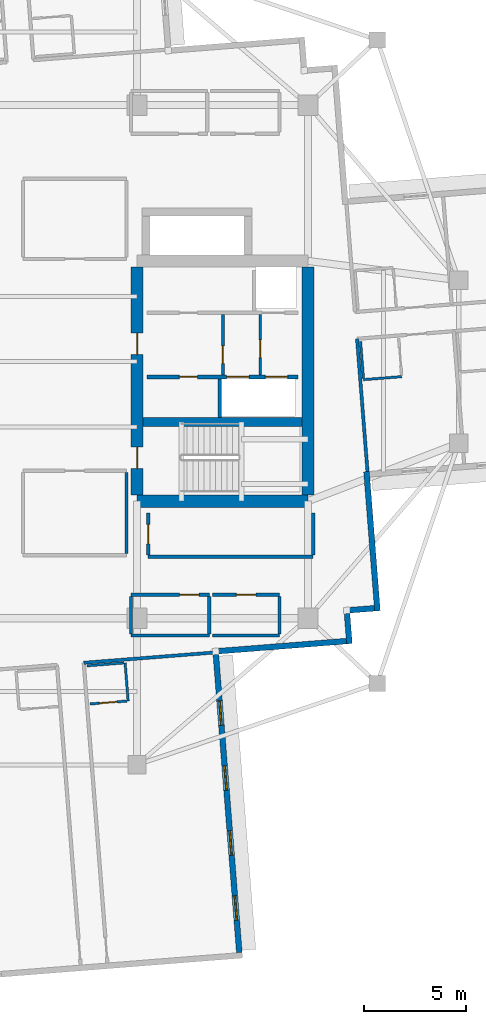
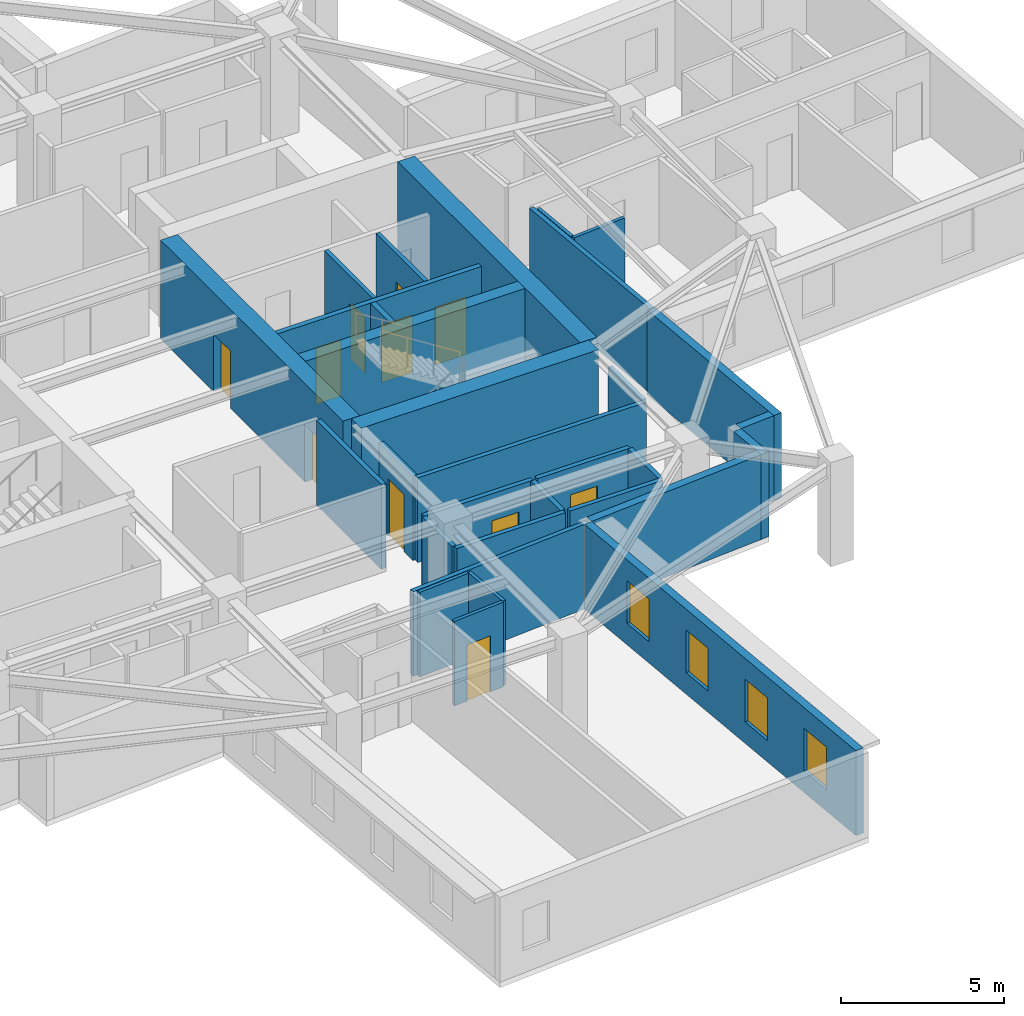
# One storey, part 5 of 13: 31 walls, 11 doors, 4 windows, 15 openings.
"""IFC4 building model written with IfcOpenShell, lengths in metres."""

import ifcopenshell
import ifcopenshell.guid

model = None  # the IFC model being written
_history = None  # IfcOwnerHistory: only IFC2X3 demands one
_inside = {}  # id of a spatial element -> (the spatial element, [elements in it])
_under = {}  # id of a project, library or spatial element -> (it, [spatial elements below it])
_declared = {}  # id of a project -> (the project, [libraries it declares])
_typed = {}  # id of a type object -> (the type object, [elements of that type])
_made_of = {}  # id of a material, layer set ... -> (it, [elements and type objects made of it])


def new_model(schema):
    """Start an empty IFC model of exactly this schema.

    Asked for "IFC4X3", IfcOpenShell would pick the latest addendum, in which some entities
    have other attributes; the version numbers below select the first issue.
    IFC2X3 requires an IfcOwnerHistory on every rooted entity: one is made here for all.
    """
    global model, _history
    if schema == "IFC4X3":
        model = ifcopenshell.file(schema_version=(4, 3, 0, 0))
    else:
        model = ifcopenshell.file(schema=schema)
    _inside.clear()
    _under.clear()
    _declared.clear()
    _typed.clear()
    _made_of.clear()
    _history = None
    if model.schema == "IFC2X3":
        org = make("IfcOrganization", Name="unknown")
        user = make(
            "IfcPersonAndOrganization",
            ThePerson=make("IfcPerson", FamilyName="unknown"),
            TheOrganization=org,
        )
        app = make(
            "IfcApplication",
            ApplicationDeveloper=org,
            Version="unknown",
            ApplicationFullName="unknown",
            ApplicationIdentifier="unknown",
        )
        _history = make(
            "IfcOwnerHistory",
            OwningUser=user,
            OwningApplication=app,
            ChangeAction="ADDED",
            CreationDate=0,
        )
    return model


def make(cls, **values):
    """One entity of the class cls with the attributes given. An attribute that is None is left unset."""
    return model.create_entity(
        cls, **{name: value for name, value in values.items() if value is not None}
    )


def rooted(cls, **values):
    """An entity with a GlobalId (a new one), such as an element, a storey or a relation."""
    return make(cls, GlobalId=ifcopenshell.guid.new(), OwnerHistory=_history, **values)


def si_unit(unit_type, name, prefix=None):
    """IfcSIUnit, for example si_unit("LENGTHUNIT", "METRE", prefix="MILLI")."""
    return make("IfcSIUnit", UnitType=unit_type, Prefix=prefix, Name=name)


def assignment(units):
    """IfcUnitAssignment: the units of a project."""
    return None if units is None else make("IfcUnitAssignment", Units=units)


def point(xyz):
    """IfcCartesianPoint."""
    return None if xyz is None else make("IfcCartesianPoint", Coordinates=xyz)


def direction(xyz):
    """IfcDirection."""
    return None if xyz is None else make("IfcDirection", DirectionRatios=xyz)


def frame(location, z_axis=None, x_axis=None):
    """IfcAxis2Placement3D, a coordinate frame: its origin and axes. An axis left out is left unset."""
    return make(
        "IfcAxis2Placement3D",
        Location=point(location),
        Axis=direction(z_axis),
        RefDirection=direction(x_axis),
    )


def frame_2d(location, x_axis=None):
    """IfcAxis2Placement2D, a coordinate frame in the plane: its origin and x axis."""
    return make(
        "IfcAxis2Placement2D", Location=point(location), RefDirection=direction(x_axis)
    )


def origin():
    """The frame at (0, 0, 0) with its axes left unset."""
    return frame((0.0, 0.0, 0.0))


def place(relative_to, where):
    """IfcLocalPlacement: puts the frame where relative to a parent placement (None: the world)."""
    return make(
        "IfcLocalPlacement", PlacementRelTo=relative_to, RelativePlacement=where
    )


def context(
    kind, dimensions, precision=None, world=None, true_north=None, identifier=None
):
    """IfcGeometricRepresentationContext, for example the 3D "Model" context."""
    return make(
        "IfcGeometricRepresentationContext",
        ContextIdentifier=identifier,
        ContextType=kind,
        CoordinateSpaceDimension=dimensions,
        Precision=precision,
        WorldCoordinateSystem=world,
        TrueNorth=true_north,
    )


def subcontext(parent, identifier, kind, view, scale=None):
    """IfcGeometricRepresentationSubContext, for example "Body" below "Model"."""
    return make(
        "IfcGeometricRepresentationSubContext",
        ContextIdentifier=identifier,
        ContextType=kind,
        ParentContext=parent,
        TargetScale=scale,
        TargetView=view,
    )


def project(units=None, contexts=None):
    """IfcProject with its units and contexts."""
    return rooted(
        "IfcProject",
        Name="project",
        RepresentationContexts=contexts,
        UnitsInContext=assignment(units),
    )


def spatial(cls, under=None, at=None, **own):
    """A site, building, storey or space (cls), placed at a placement, below another one or the project."""
    s = rooted(cls, ObjectPlacement=at, **own)
    if under is not None:
        _under.setdefault(under.id(), (under, []))[1].append(s)
    return s


def profile(cls, at=None, kind="AREA", **sizes):
    """A parametric profile (cls). Its sizes go by their IFC names, for example OverallWidth=200.0."""
    return make(cls, ProfileType=kind, Position=at, **sizes)


def rectangle(**sizes):
    """IfcRectangleProfileDef."""
    return profile("IfcRectangleProfileDef", **sizes)


def extrude(swept, where, along, depth):
    """IfcExtrudedAreaSolid: the profile swept, set in the frame where, extruded along a direction by depth."""
    return make(
        "IfcExtrudedAreaSolid",
        SweptArea=swept,
        Position=where,
        ExtrudedDirection=direction(along),
        Depth=depth,
    )


def shape(context_of_items, identifier, shape_type, items):
    """IfcShapeRepresentation: the items that make up one representation, for example the "Body"."""
    return make(
        "IfcShapeRepresentation",
        ContextOfItems=context_of_items,
        RepresentationIdentifier=identifier,
        RepresentationType=shape_type,
        Items=items,
    )


def material(Name=None, Category=None):
    """IfcMaterial."""
    return make("IfcMaterial", Name=Name, Category=Category)


def layer(
    of_material, thickness, ventilated=None, Name=None, Category=None, Priority=None
):
    """IfcMaterialLayer: one layer of a wall or slab, of a material (None: an air gap)."""
    return make(
        "IfcMaterialLayer",
        Material=of_material,
        LayerThickness=thickness,
        IsVentilated=ventilated,
        Name=Name,
        Category=Category,
        Priority=Priority,
    )


def layer_set(layers, Name=None):
    """IfcMaterialLayerSet."""
    return make("IfcMaterialLayerSet", MaterialLayers=layers, LayerSetName=Name)


def made_of(thing, what):
    """Note that an element or type object is made of a material, layer set ...; save() writes the relation."""
    if what is not None:
        _made_of.setdefault(what.id(), (what, []))[1].append(thing)
    return thing


def type_object(cls, material=None, **own):
    """A type object (cls), such as IfcWallType, which elements share."""
    return made_of(rooted(cls, **own), material)


def element(
    cls,
    number,
    at=None,
    inside=None,
    cuts=None,
    type_object=None,
    material=None,
    context=None,
    identifier="Body",
    shape_type=None,
    held_by="IfcProductDefinitionShape",
    body=None,
    shapes=None,
    **own,
):
    """One element of the class cls, such as IfcWall. Its Tag is "e" and its number.

    at: its placement. inside: the storey or other place that contains it. cuts: it is an
    opening in that element (IfcRelVoidsElement). A single representation is given by context,
    identifier, shape_type and body (its items); several are given by shapes. held_by: the class
    of the entity that holds the representations. save() writes the other relations.
    """
    e = rooted(cls, Tag="e%d" % number, ObjectPlacement=at, **own)
    if body is not None:
        shapes = [shape(context, identifier, shape_type, body)]
    if shapes is not None:
        e.Representation = make(held_by, Representations=shapes)
    if inside is not None:
        _inside.setdefault(inside.id(), (inside, []))[1].append(e)
    if cuts is not None:
        rooted(
            "IfcRelVoidsElement", RelatingBuildingElement=cuts, RelatedOpeningElement=e
        )
    if type_object is not None:
        _typed.setdefault(type_object.id(), (type_object, []))[1].append(e)
    return made_of(e, material)


def fill(opening, filler):
    """IfcRelFillsElement: the door or window that sits in an opening."""
    return rooted(
        "IfcRelFillsElement",
        RelatingOpeningElement=opening,
        RelatedBuildingElement=filler,
    )


def aggregate(whole, parts):
    """IfcRelAggregates: a whole, such as a stair, and the parts it consists of."""
    return rooted("IfcRelAggregates", RelatingObject=whole, RelatedObjects=parts)


def save(model, path):
    """Write the relations noted so far, then the file.

    IfcRelAggregates (storeys below a building ...), IfcRelContainedInSpatialStructure (elements
    in a storey), IfcRelDefinesByType, IfcRelAssociatesMaterial and IfcRelDeclares: one each for
    every whole, place, type object, material and project.
    """
    for whole, parts in _under.values():
        aggregate(whole, parts)
    for where, things in _inside.values():
        rooted(
            "IfcRelContainedInSpatialStructure",
            RelatedElements=things,
            RelatingStructure=where,
        )
    for kind, things in _typed.values():
        rooted("IfcRelDefinesByType", RelatedObjects=things, RelatingType=kind)
    for what, things in _made_of.values():
        rooted("IfcRelAssociatesMaterial", RelatedObjects=things, RelatingMaterial=what)
    for by, libraries in _declared.values():
        rooted("IfcRelDeclares", RelatingContext=by, RelatedDefinitions=libraries)
    model.write(path)


model = new_model("IFC4")

# Units and contexts
model_context = context("Model", 3, precision=1e-05, world=origin(), true_north=direction((0.0, 1.0)))
body_context = subcontext(model_context, "Body", "Model", "MODEL_VIEW")
ifc_project = project(units=[si_unit("LENGTHUNIT", "METRE"), si_unit("AREAUNIT", "SQUARE_METRE"), si_unit("VOLUMEUNIT", "CUBIC_METRE"), si_unit("PLANEANGLEUNIT", "RADIAN"), si_unit("MASSUNIT", "GRAM", prefix="KILO")], contexts=[model_context])

# Site, building, storey
site_placement = place(None, origin())
site = spatial("IfcSite", under=ifc_project, at=site_placement, CompositionType="ELEMENT")
building_placement = place(site_placement, origin())
building = spatial("IfcBuilding", under=site, at=building_placement, Name="Qingluan Cross Belvedere", CompositionType="ELEMENT")
storey_placement = place(building_placement, frame((0.0, 0.0, 205.199951171875)))
storey = spatial("IfcBuildingStorey", under=building, at=storey_placement, Name="L51", CompositionType="ELEMENT", Elevation=205.199951171875)

# Walls
ifc_material_1 = material(Name="Concrete C50", Category="concrete")
ifc_layer_1 = layer(ifc_material_1, 0.449951171875, Name="CoreShearWall_450")
ifc_layer_set_1 = layer_set([ifc_layer_1], Name="Concrete C50")
wall_type_1 = type_object("IfcWallType", Name="CoreShearWall_450", PredefinedType="SHEAR", material=ifc_layer_set_1)
wall_1_placement = place(storey_placement, frame((4.304931640625, -2.9599609375, 0.0), z_axis=(0.0, 0.0, 1.0), x_axis=(1.0, 0.0, 0.0)))
element("IfcWall", 1, at=wall_1_placement, inside=storey, type_object=wall_type_1, Name="Split core E shear wall L51-M", PredefinedType="SHEAR", context=body_context, shape_type="SweptSolid", body=[
    extrude(rectangle(XDim=7.7900390625, YDim=0.449951171875, at=frame_2d((3.89501953125, 0.0))), origin(), (0.0, 0.0, 1.0), 3.699951171875),
])
ifc_material_2 = material(Name="Concrete C60", Category="concrete")
ifc_layer_2 = layer(ifc_material_2, 0.60009765625, Name="CoreShearWall_600")
ifc_layer_set_2 = layer_set([ifc_layer_2], Name="Concrete C60")
wall_type_2 = type_object("IfcWallType", Name="CoreShearWall_600", PredefinedType="SHEAR", material=ifc_layer_set_2)
wall_2_placement = place(storey_placement, frame((4.0, -6.85009765625, 0.0), z_axis=(0.0, 0.0, 1.0), x_axis=(1.0, 0.0, 0.0)))
element("IfcWall", 2, at=wall_2_placement, inside=storey, type_object=wall_type_2, Name="Split core E shear wall L51-S", PredefinedType="SHEAR", context=body_context, shape_type="SweptSolid", body=[
    extrude(rectangle(XDim=8.39990234375, YDim=0.60009765625, at=frame_2d((4.199951171875, 0.0))), origin(), (0.0, 0.0, 1.0), 3.699951171875),
])

# Wall, openings, doors
wall_3_placement = place(storey_placement, frame((4.0, -6.544921875, 0.0), z_axis=(0.0, 0.0, 1.0), x_axis=(0.0, 1.0, 0.0)))
wall_3 = element("IfcWall", 3, at=wall_3_placement, inside=storey, type_object=wall_type_2, Name="Split core E shear wall L51-W", PredefinedType="SHEAR", context=body_context, shape_type="SweptSolid", body=[
    extrude(rectangle(XDim=11.18994140625, YDim=0.60009765625, at=frame_2d((5.594970703125, 0.0))), origin(), (0.0, 0.0, 1.0), 3.699951171875),
])
opening_1_placement = place(wall_3_placement, frame((1.294921875, 0.0, 0.0)))
opening_1 = element("IfcOpeningElement", 4, at=opening_1_placement, cuts=wall_3, Name="Opening FD-B11", PredefinedType="OPENING", context=body_context, shape_type="SweptSolid", body=[
    extrude(rectangle(XDim=1.050048828125, YDim=2.14990234375, at=frame_2d((0.52490234375, 1.074951171875))), frame((0.0, 0.31005859375, 0.0), z_axis=(0.0, -1.0, 0.0), x_axis=(1.0, 0.0, 0.0)), (0.0, 0.0, 1.0), 0.6201171875),
])
opening_2_placement = place(wall_3_placement, frame((6.89501953125, 0.0, 0.0)))
opening_2 = element("IfcOpeningElement", 5, at=opening_2_placement, cuts=wall_3, Name="Opening FD-B11", PredefinedType="OPENING", context=body_context, shape_type="SweptSolid", body=[
    extrude(rectangle(XDim=1.050048828125, YDim=2.14990234375, at=frame_2d((0.52490234375, 1.074951171875))), frame((0.0, 0.31005859375, 0.0), z_axis=(0.0, -1.0, 0.0), x_axis=(1.0, 0.0, 0.0)), (0.0, 0.0, 1.0), 0.6201171875),
])
ifc_material_3 = material(Name="Steel Class B smoke-seal fire door", Category="steel")
door_type_1 = type_object("IfcDoorType", Name="StairLobbyFireDoor_FDB", OperationType="NOTDEFINED", PredefinedType="DOOR", material=ifc_material_3)
door_1_placement = place(opening_1_placement, origin())
door_1 = element("IfcDoor", 6, at=door_1_placement, inside=storey, type_object=door_type_1, Name="Smoke-proof stair ST2 fire door L51", OperationType="SINGLE_SWING_RIGHT", OverallHeight=2.14990234375, OverallWidth=1.050048828125, PredefinedType="DOOR", context=body_context, shape_type="SweptSolid", body=[
    extrude(rectangle(XDim=1.050048828125, YDim=2.14990234375, at=frame_2d((0.52490234375, 1.074951171875))), frame((0.0, 0.02490234375, 0.0), z_axis=(0.0, -1.0, 0.0), x_axis=(1.0, 0.0, 0.0)), (0.0, 0.0, 1.0), 0.050048828125),
])
fill(opening_1, door_1)
door_2_placement = place(opening_2_placement, origin())
door_2 = element("IfcDoor", 7, at=door_2_placement, inside=storey, type_object=door_type_1, Name="Firefighting lobby East fire door L51", OperationType="SINGLE_SWING_RIGHT", OverallHeight=2.14990234375, OverallWidth=1.050048828125, PredefinedType="DOOR", context=body_context, shape_type="SweptSolid", body=[
    extrude(rectangle(XDim=1.050048828125, YDim=2.14990234375, at=frame_2d((0.52490234375, 1.074951171875))), frame((0.0, 0.02490234375, 0.0), z_axis=(0.0, -1.0, 0.0), x_axis=(1.0, 0.0, 0.0)), (0.0, 0.0, 1.0), 0.050048828125),
])
fill(opening_2, door_2)

# Wall
wall_4_placement = place(storey_placement, frame((12.39990234375, -6.544921875, 0.0), z_axis=(0.0, 0.0, 1.0), x_axis=(0.0, 1.0, 0.0)))
element("IfcWall", 8, at=wall_4_placement, inside=storey, type_object=wall_type_2, Name="Split core E shear wall L51-E", PredefinedType="SHEAR", context=body_context, shape_type="SweptSolid", body=[
    extrude(rectangle(XDim=11.18994140625, YDim=0.60009765625, at=frame_2d((5.594970703125, 0.0))), origin(), (0.0, 0.0, 1.0), 3.699951171875),
])

# Wall, opening, door
ifc_material_4 = material(Name="Gypsum plasterboard on steel stud acoustic partition", Category="steel")
ifc_layer_3 = layer(ifc_material_4, 0.159912109375, Name="CorridorPartition_160")
ifc_layer_set_3 = layer_set([ifc_layer_3], Name="Gypsum plasterboard on steel stud acoustic partition")
wall_type_3 = type_object("IfcWallType", Name="CorridorPartition_160", PredefinedType="PARTITIONING", material=ifc_layer_set_3)
wall_5_placement = place(storey_placement, frame((10.050048828125, -0.652099609375, 0.0), z_axis=(0.0, 0.0, 1.0), x_axis=(0.0, 1.0, 0.0)))
wall_5 = element("IfcWall", 9, at=wall_5_placement, inside=storey, type_object=wall_type_3, Name="Partition L51:ev", PredefinedType="PARTITIONING", context=body_context, shape_type="SweptSolid", body=[
    extrude(rectangle(XDim=2.962158203125, YDim=0.139892578125, at=frame_2d((1.48095703125, 0.0))), origin(), (0.0, 0.0, 1.0), 3.170166015625),
])
opening_3_placement = place(wall_5_placement, frame((0.85009765625, 0.0, 0.0)))
opening_3 = element("IfcOpeningElement", 10, at=opening_3_placement, cuts=wall_5, Name="Opening FD-B10", PredefinedType="OPENING", context=body_context, shape_type="SweptSolid", body=[
    extrude(rectangle(XDim=0.8798828125, YDim=2.10009765625, at=frame_2d((0.43994140625, 1.050048828125))), frame((0.0, 0.079833984375, 0.0), z_axis=(0.0, -1.0, 0.0), x_axis=(1.0, 0.0, 0.0)), (0.0, 0.0, 1.0), 0.159912109375),
])
ifc_material_5 = material(Name="Steel Class B service fire door", Category="steel")
door_type_2 = type_object("IfcDoorType", Name="RiserServiceFireDoor_FDB", OperationType="NOTDEFINED", PredefinedType="DOOR", material=ifc_material_5)
door_3_placement = place(opening_3_placement, origin())
door_3 = element("IfcDoor", 11, at=door_3_placement, inside=storey, type_object=door_type_2, Name="Service closet inner door L51", OperationType="SINGLE_SWING_LEFT", OverallHeight=2.10009765625, OverallWidth=0.8798828125, PredefinedType="DOOR", context=body_context, shape_type="SweptSolid", body=[
    extrude(rectangle(XDim=0.8798828125, YDim=2.10009765625, at=frame_2d((0.43994140625, 1.050048828125))), frame((0.0, 0.02490234375, 0.0), z_axis=(0.0, -1.0, 0.0), x_axis=(1.0, 0.0, 0.0)), (0.0, 0.0, 1.0), 0.050048828125),
])
fill(opening_3, door_3)

# Wall
wall_6_placement = place(storey_placement, frame((3.699951171875, -13.449951171875, 0.0), z_axis=(0.0, 0.0, 1.0), x_axis=(1.0, 0.0, 0.0)))
element("IfcWall", 12, at=wall_6_placement, inside=storey, type_object=wall_type_3, Name="Partition L51:q_se1:S", PredefinedType="PARTITIONING", context=body_context, shape_type="SweptSolid", body=[
    extrude(rectangle(XDim=3.85009765625, YDim=0.159912109375, at=frame_2d((1.925048828125, 0.0))), origin(), (0.0, 0.0, 1.0), 3.170166015625),
])

# Wall, opening, door
wall_7_placement = place(storey_placement, frame((3.699951171875, -11.449951171875, 0.0), z_axis=(0.0, 0.0, 1.0), x_axis=(1.0, 0.0, 0.0)))
wall_7 = element("IfcWall", 13, at=wall_7_placement, inside=storey, type_object=wall_type_3, Name="Partition L51:q_se1:N", PredefinedType="PARTITIONING", context=body_context, shape_type="SweptSolid", body=[
    extrude(rectangle(XDim=3.85009765625, YDim=0.159912109375, at=frame_2d((1.925048828125, 0.0))), origin(), (0.0, 0.0, 1.0), 3.170166015625),
])
opening_4_placement = place(wall_7_placement, frame((2.39501953125, 0.0, 0.0)))
opening_4 = element("IfcOpeningElement", 14, at=opening_4_placement, cuts=wall_7, Name="Opening GD-10", PredefinedType="OPENING", context=body_context, shape_type="SweptSolid", body=[
    extrude(rectangle(XDim=0.9599609375, YDim=2.14990234375, at=frame_2d((0.47998046875, 1.074951171875))), frame((0.0, 0.08984375, 0.0), z_axis=(0.0, -1.0, 0.0), x_axis=(1.0, 0.0, 0.0)), (0.0, 0.0, 1.0), 0.179931640625),
])
ifc_material_6 = material(Name="Timber oak fire-rated acoustic guestroom door", Category="wood")
door_type_3 = type_object("IfcDoorType", Name="GuestEntryDoor_FD60", OperationType="NOTDEFINED", PredefinedType="DOOR", material=ifc_material_6)
door_4_placement = place(opening_4_placement, origin())
door_4 = element("IfcDoor", 15, at=door_4_placement, inside=storey, type_object=door_type_3, Name="Champagne pantry L51 door", OperationType="SINGLE_SWING_RIGHT", OverallHeight=2.14990234375, OverallWidth=0.9599609375, PredefinedType="DOOR", context=body_context, shape_type="SweptSolid", body=[
    extrude(rectangle(XDim=0.9599609375, YDim=2.14990234375, at=frame_2d((0.47998046875, 1.074951171875))), frame((0.0, 0.02490234375, 0.0), z_axis=(0.0, -1.0, 0.0), x_axis=(1.0, 0.0, 0.0)), (0.0, 0.0, 1.0), 0.050048828125),
])
fill(opening_4, door_4)

# Walls
for number, where, z_axis, x_axis, name in (
    (16, (3.699951171875, -13.364990234375, 0.0), (0.0, 0.0, 1.0), (0.0, 1.0, 0.0), "Partition L51:q_se1:W"),
    (17, (7.550048828125, -13.364990234375, 0.0), (0.0, 0.0, 1.0), (0.0, 1.0, 0.0), "Partition L51:q_se1:E"),
):
    element("IfcWall", number, at=place(storey_placement, frame(where, z_axis=z_axis, x_axis=x_axis)), inside=storey, type_object=wall_type_3, Name=name, PredefinedType="PARTITIONING", context=body_context, shape_type="SweptSolid", body=[
        extrude(rectangle(XDim=1.830078125, YDim=0.159912109375, at=frame_2d((0.9150390625, 0.0))), origin(), (0.0, 0.0, 1.0), 3.170166015625),
    ])
wall_8_placement = place(storey_placement, frame((7.7099609375, -13.449951171875, 0.0), z_axis=(0.0, 0.0, 1.0), x_axis=(1.0, 0.0, 0.0)))
element("IfcWall", 18, at=wall_8_placement, inside=storey, type_object=wall_type_3, Name="Partition L51:q_se2:S", PredefinedType="PARTITIONING", context=body_context, shape_type="SweptSolid", body=[
    extrude(rectangle(XDim=3.2900390625, YDim=0.159912109375, at=frame_2d((1.64501953125, 0.0))), origin(), (0.0, 0.0, 1.0), 3.170166015625),
])

# Wall, opening, door
wall_9_placement = place(storey_placement, frame((7.7099609375, -11.449951171875, 0.0), z_axis=(0.0, 0.0, 1.0), x_axis=(1.0, 0.0, 0.0)))
wall_9 = element("IfcWall", 19, at=wall_9_placement, inside=storey, type_object=wall_type_3, Name="Partition L51:q_se2:N", PredefinedType="PARTITIONING", context=body_context, shape_type="SweptSolid", body=[
    extrude(rectangle(XDim=3.2900390625, YDim=0.159912109375, at=frame_2d((1.64501953125, 0.0))), origin(), (0.0, 0.0, 1.0), 3.170166015625),
])
opening_5_placement = place(wall_9_placement, frame((1.1650390625, 0.0, 0.0)))
opening_5 = element("IfcOpeningElement", 20, at=opening_5_placement, cuts=wall_9, Name="Opening GD-10", PredefinedType="OPENING", context=body_context, shape_type="SweptSolid", body=[
    extrude(rectangle(XDim=0.9599609375, YDim=2.14990234375, at=frame_2d((0.47998046875, 1.074951171875))), frame((0.0, 0.08984375, 0.0), z_axis=(0.0, -1.0, 0.0), x_axis=(1.0, 0.0, 0.0)), (0.0, 0.0, 1.0), 0.179931640625),
])
door_5_placement = place(opening_5_placement, origin())
door_5 = element("IfcDoor", 21, at=door_5_placement, inside=storey, type_object=door_type_3, Name="Southeast study room L51 door", OperationType="SINGLE_SWING_LEFT", OverallHeight=2.14990234375, OverallWidth=0.9599609375, PredefinedType="DOOR", context=body_context, shape_type="SweptSolid", body=[
    extrude(rectangle(XDim=0.9599609375, YDim=2.14990234375, at=frame_2d((0.47998046875, 1.074951171875))), frame((0.0, 0.02490234375, 0.0), z_axis=(0.0, -1.0, 0.0), x_axis=(1.0, 0.0, 0.0)), (0.0, 0.0, 1.0), 0.050048828125),
])
fill(opening_5, door_5)

# Walls
wall_10_placement = place(storey_placement, frame((11.0, -13.364990234375, 0.0), z_axis=(0.0, 0.0, 1.0), x_axis=(0.0, 1.0, 0.0)))
element("IfcWall", 22, at=wall_10_placement, inside=storey, type_object=wall_type_3, Name="Partition L51:q_se2:E", PredefinedType="PARTITIONING", context=body_context, shape_type="SweptSolid", body=[
    extrude(rectangle(XDim=1.830078125, YDim=0.159912109375, at=frame_2d((0.9150390625, 0.0))), origin(), (0.0, 0.0, 1.0), 3.170166015625),
])
wall_11_placement = place(storey_placement, frame((3.47998046875, -9.4150390625, 0.0), z_axis=(0.0, 0.0, 1.0), x_axis=(0.0, 1.0, 0.0)))
element("IfcWall", 23, at=wall_11_placement, inside=storey, type_object=wall_type_3, Name="Partition L51:sky_south_alcove:E", PredefinedType="PARTITIONING", context=body_context, shape_type="SweptSolid", body=[
    extrude(rectangle(XDim=3.97998046875, YDim=0.159912109375, at=frame_2d((1.989990234375, 0.0))), origin(), (0.0, 0.0, 1.0), 3.170166015625),
])
wall_12_placement = place(storey_placement, frame((4.550048828125, -9.580078125, 0.0), z_axis=(0.0, 0.0, 1.0), x_axis=(1.0, 0.0, 0.0)))
element("IfcWall", 24, at=wall_12_placement, inside=storey, type_object=wall_type_3, Name="Partition L51:rec_st4:S", PredefinedType="PARTITIONING", context=body_context, shape_type="SweptSolid", body=[
    extrude(rectangle(XDim=8.099853515625, YDim=0.159912109375, at=frame_2d((4.0498046875, 0.0))), origin(), (0.0, 0.0, 1.0), 3.170166015625),
])

# Wall, opening, door
wall_13_placement = place(storey_placement, frame((4.550048828125, -9.4951171875, 0.0), z_axis=(0.0, 0.0, 1.0), x_axis=(0.0, 1.0, 0.0)))
wall_13 = element("IfcWall", 25, at=wall_13_placement, inside=storey, type_object=wall_type_3, Name="Partition L51:rec_st4:W", PredefinedType="PARTITIONING", context=body_context, shape_type="SweptSolid", body=[
    extrude(rectangle(XDim=2.06005859375, YDim=0.159912109375, at=frame_2d((1.030029296875, 0.0))), origin(), (0.0, 0.0, 1.0), 3.170166015625),
])
opening_6_placement = place(wall_13_placement, frame((0.550048828125, 0.0, 0.0)))
opening_6 = element("IfcOpeningElement", 26, at=opening_6_placement, cuts=wall_13, Name="Opening GD-10", PredefinedType="OPENING", context=body_context, shape_type="SweptSolid", body=[
    extrude(rectangle(XDim=0.9599609375, YDim=2.14990234375, at=frame_2d((0.47998046875, 1.074951171875))), frame((0.0, 0.08984375, 0.0), z_axis=(0.0, -1.0, 0.0), x_axis=(1.0, 0.0, 0.0)), (0.0, 0.0, 1.0), 0.179931640625),
])
door_6_placement = place(opening_6_placement, origin())
door_6 = element("IfcDoor", 27, at=door_6_placement, inside=storey, type_object=door_type_3, Name="Southeast club library room L51 door", OperationType="SINGLE_SWING_LEFT", OverallHeight=2.14990234375, OverallWidth=0.9599609375, PredefinedType="DOOR", context=body_context, shape_type="SweptSolid", body=[
    extrude(rectangle(XDim=0.9599609375, YDim=2.14990234375, at=frame_2d((0.47998046875, 1.074951171875))), frame((0.0, 0.02490234375, 0.0), z_axis=(0.0, -1.0, 0.0), x_axis=(1.0, 0.0, 0.0)), (0.0, 0.0, 1.0), 0.050048828125),
])
fill(opening_6, door_6)

# Walls
wall_14_placement = place(storey_placement, frame((12.64990234375, -9.4951171875, 0.0), z_axis=(0.0, 0.0, 1.0), x_axis=(0.0, 1.0, 0.0)))
element("IfcWall", 28, at=wall_14_placement, inside=storey, type_object=wall_type_3, Name="Partition L51:rec_st4:E", PredefinedType="PARTITIONING", context=body_context, shape_type="SweptSolid", body=[
    extrude(rectangle(XDim=2.06005859375, YDim=0.159912109375, at=frame_2d((1.030029296875, 0.0))), origin(), (0.0, 0.0, 1.0), 3.170166015625),
])
wall_15_placement = place(storey_placement, frame((14.807373046875, 1.125244140625, 0.0), z_axis=(0.0, 0.0, 1.0), x_axis=(0.078451271919, -0.996917949449, 0.0)))
element("IfcWall", 29, at=wall_15_placement, inside=storey, type_object=wall_type_3, Name="Partition L51:E:s1", PredefinedType="PARTITIONING", context=body_context, shape_type="SweptSolid", body=[
    extrude(rectangle(XDim=6.531982421875, YDim=0.159912109375, at=frame_2d((3.26611328125, 0.0))), origin(), (0.0, 0.0, 1.0), 3.170166015625),
])
wall_16_placement = place(storey_placement, frame((1.384521484375, -14.787109375, 0.0), z_axis=(0.0, 0.0, 1.0), x_axis=(0.996917042006, 0.078462802379, 0.0)))
element("IfcWall", 30, at=wall_16_placement, inside=storey, type_object=wall_type_3, Name="Partition L51:S:s0", PredefinedType="PARTITIONING", context=body_context, shape_type="SweptSolid", body=[
    extrude(rectangle(XDim=6.5, YDim=0.159912109375, at=frame_2d((3.25, 0.0))), origin(), (0.0, 0.0, 1.0), 3.170166015625),
])
ifc_material_7 = material(Name="Moisture-resistant gypsum board lining")
ifc_layer_4 = layer(ifc_material_7, 0.1201171875, Name="EnsuiteWetPartition_120")
ifc_layer_set_4 = layer_set([ifc_layer_4], Name="Moisture-resistant gypsum board lining")
wall_type_4 = type_object("IfcWallType", Name="EnsuiteWetPartition_120", PredefinedType="PARTITIONING", material=ifc_layer_set_4)
wall_17_placement = place(storey_placement, frame((15.12060546875, -0.816162109375, 0.0), z_axis=(0.0, 0.0, 1.0), x_axis=(-0.0784709492, 0.996916400774, 0.0)))
element("IfcWall", 31, at=wall_17_placement, inside=storey, type_object=wall_type_4, Name="Partition L51:E:bw1_0", PredefinedType="PARTITIONING", context=body_context, shape_type="SweptSolid", body=[
    extrude(rectangle(XDim=1.820068359375, YDim=0.1201171875, at=frame_2d((0.91015625, 0.0))), origin(), (0.0, 0.0, 1.0), 3.170166015625),
])
wall_18_placement = place(storey_placement, frame((15.125732421875, -0.881103515625, 0.0), z_axis=(0.0, 0.0, 1.0), x_axis=(0.996909131608, 0.078563244057, 0.0)))
element("IfcWall", 32, at=wall_18_placement, inside=storey, type_object=wall_type_4, Name="Partition L51:E:bc1_0", PredefinedType="PARTITIONING", context=body_context, shape_type="SweptSolid", body=[
    extrude(rectangle(XDim=1.880126953125, YDim=0.1201171875, at=frame_2d((0.93994140625, 0.0))), origin(), (0.0, 0.0, 1.0), 3.170166015625),
])

# Wall, opening, door
wall_19_placement = place(storey_placement, frame((1.68408203125, -16.809814453125, 0.0), z_axis=(0.0, 0.0, 1.0), x_axis=(0.996916400774, 0.0784709492, 0.0)))
wall_19 = element("IfcWall", 33, at=wall_19_placement, inside=storey, type_object=wall_type_4, Name="Partition L51:S:bs0_0", PredefinedType="PARTITIONING", context=body_context, shape_type="SweptSolid", body=[
    extrude(rectangle(XDim=1.820068359375, YDim=0.1201171875, at=frame_2d((0.91015625, 0.0))), origin(), (0.0, 0.0, 1.0), 3.170166015625),
])
opening_7_placement = place(wall_19_placement, frame((0.469970703125, 0.0, 0.0)))
opening_7 = element("IfcOpeningElement", 34, at=opening_7_placement, cuts=wall_19, Name="Opening BD-09", PredefinedType="OPENING", context=body_context, shape_type="SweptSolid", body=[
    extrude(rectangle(XDim=0.8798828125, YDim=2.10009765625, at=frame_2d((0.43994140625, 1.050048828125))), frame((0.0, 0.070068359375, 0.0), z_axis=(0.0, -1.0, 0.0), x_axis=(1.0, 0.0, 0.0)), (0.0, 0.0, 1.0), 0.14013671875),
])
ifc_material_8 = material(Name="Moisture-sealed timber en-suite door", Category="wood")
door_type_4 = type_object("IfcDoorType", Name="BathroomDoor_880", OperationType="NOTDEFINED", PredefinedType="DOOR", material=ifc_material_8)
door_7_placement = place(opening_7_placement, origin())
door_7 = element("IfcDoor", 35, at=door_7_placement, inside=storey, type_object=door_type_4, Name="Bathroom door 5117", OperationType="SINGLE_SWING_RIGHT", OverallHeight=2.10009765625, OverallWidth=0.8798828125, PredefinedType="DOOR", context=body_context, shape_type="SweptSolid", body=[
    extrude(rectangle(XDim=0.8798828125, YDim=2.10009765625, at=frame_2d((0.43994140625, 1.050048828125))), frame((0.0, 0.02490234375, 0.0), z_axis=(0.0, -1.0, 0.0), x_axis=(1.0, 0.0, 0.0)), (0.0, 0.0, 1.0), 0.050048828125),
])
fill(opening_7, door_7)

# Walls
wall_20_placement = place(storey_placement, frame((1.53662109375, -14.935546875, 0.0), z_axis=(0.0, 0.0, 1.0), x_axis=(0.996916400774, 0.0784709492, 0.0)))
element("IfcWall", 36, at=wall_20_placement, inside=storey, type_object=wall_type_4, Name="Partition L51:S:bw0_0", PredefinedType="PARTITIONING", context=body_context, shape_type="SweptSolid", body=[
    extrude(rectangle(XDim=1.820068359375, YDim=0.1201171875, at=frame_2d((0.91015625, 0.0))), origin(), (0.0, 0.0, 1.0), 3.170166015625),
])
wall_21_placement = place(storey_placement, frame((3.415771484375, -14.78759765625, 0.0), z_axis=(0.0, 0.0, 1.0), x_axis=(0.07843418698, -0.996919293781, 0.0)))
element("IfcWall", 37, at=wall_21_placement, inside=storey, type_object=wall_type_4, Name="Partition L51:S:bn0_0", PredefinedType="PARTITIONING", context=body_context, shape_type="SweptSolid", body=[
    extrude(rectangle(XDim=1.880126953125, YDim=0.1201171875, at=frame_2d((0.93994140625, 0.0))), origin(), (0.0, 0.0, 1.0), 3.170166015625),
])

# Wall, openings, windows
ifc_material_9 = material(Name="Precast concrete C45", Category="concrete")
ifc_layer_5 = layer(ifc_material_9, 0.280029296875, Name="PrecastFacadeWall_280")
ifc_layer_set_5 = layer_set([ifc_layer_5], Name="Precast concrete C45")
wall_type_5 = type_object("IfcWallType", Name="PrecastFacadeWall_280", PredefinedType="STANDARD", material=ifc_layer_set_5)
wall_22_placement = place(storey_placement, frame((9.02490234375, -29.021484375, 0.0), z_axis=(0.0, 0.0, 1.0), x_axis=(-0.078456642068, 0.996917526837, 0.0)))
wall_22 = element("IfcWall", 38, at=wall_22_placement, inside=storey, type_object=wall_type_5, Name="Facade wall L51-SB", PredefinedType="STANDARD", context=body_context, shape_type="SweptSolid", body=[
    extrude(rectangle(XDim=14.7001953125, YDim=0.280029296875, at=frame_2d((7.35009765625, 0.0))), origin(), (0.0, 0.0, 1.0), 3.179931640625),
])
opening_8_placement = place(wall_22_placement, frame((1.60009765625, 0.0, 0.800048828125)))
opening_8 = element("IfcOpeningElement", 39, at=opening_8_placement, cuts=wall_22, Name="Opening W-02", PredefinedType="OPENING", context=body_context, shape_type="SweptSolid", body=[
    extrude(rectangle(XDim=1.199951171875, YDim=1.60009765625, at=frame_2d((0.60009765625, 0.800048828125))), frame((0.0, 0.14990234375, 0.0), z_axis=(0.0, -1.0, 0.0), x_axis=(1.0, 0.0, 0.0)), (0.0, 0.0, 1.0), 0.300048828125),
])
opening_9_placement = place(wall_22_placement, frame((4.800048828125, 0.0, 0.800048828125)))
opening_9 = element("IfcOpeningElement", 40, at=opening_9_placement, cuts=wall_22, Name="Opening W-02", PredefinedType="OPENING", context=body_context, shape_type="SweptSolid", body=[
    extrude(rectangle(XDim=1.199951171875, YDim=1.60009765625, at=frame_2d((0.60009765625, 0.800048828125))), frame((0.0, 0.14990234375, 0.0), z_axis=(0.0, -1.0, 0.0), x_axis=(1.0, 0.0, 0.0)), (0.0, 0.0, 1.0), 0.300048828125),
])
opening_10_placement = place(wall_22_placement, frame((8.0, 0.0, 0.800048828125)))
opening_10 = element("IfcOpeningElement", 41, at=opening_10_placement, cuts=wall_22, Name="Opening W-02", PredefinedType="OPENING", context=body_context, shape_type="SweptSolid", body=[
    extrude(rectangle(XDim=1.199951171875, YDim=1.60009765625, at=frame_2d((0.60009765625, 0.800048828125))), frame((0.0, 0.14990234375, 0.0), z_axis=(0.0, -1.0, 0.0), x_axis=(1.0, 0.0, 0.0)), (0.0, 0.0, 1.0), 0.300048828125),
])
opening_11_placement = place(wall_22_placement, frame((11.199951171875, 0.0, 0.800048828125)))
opening_11 = element("IfcOpeningElement", 42, at=opening_11_placement, cuts=wall_22, Name="Opening W-02", PredefinedType="OPENING", context=body_context, shape_type="SweptSolid", body=[
    extrude(rectangle(XDim=1.199951171875, YDim=1.60009765625, at=frame_2d((0.60009765625, 0.800048828125))), frame((0.0, 0.14990234375, 0.0), z_axis=(0.0, -1.0, 0.0), x_axis=(1.0, 0.0, 0.0)), (0.0, 0.0, 1.0), 0.300048828125),
])
ifc_material_10 = material(Name="Thermally broken triple Low-E glass in aluminium frame", Category="aluminium")
window_type = type_object("IfcWindowType", Name="TriRibbonWin_1200x1600", PartitioningType="SINGLE_PANEL", PredefinedType="WINDOW", material=ifc_material_10)
window_1_placement = place(opening_8_placement, origin())
window_1 = element("IfcWindow", 43, at=window_1_placement, inside=storey, type_object=window_type, Name="Ribbon window L51-SB-1", OverallHeight=1.60009765625, OverallWidth=1.199951171875, PartitioningType="SINGLE_PANEL", PredefinedType="WINDOW", context=body_context, shape_type="SweptSolid", body=[
    extrude(rectangle(XDim=1.199951171875, YDim=1.60009765625, at=frame_2d((0.60009765625, 0.800048828125))), frame((0.0, 0.030029296875, 0.0), z_axis=(0.0, -1.0, 0.0), x_axis=(1.0, 0.0, 0.0)), (0.0, 0.0, 1.0), 0.06005859375),
])
fill(opening_8, window_1)
window_2_placement = place(opening_9_placement, origin())
window_2 = element("IfcWindow", 44, at=window_2_placement, inside=storey, type_object=window_type, Name="Ribbon window L51-SB-2", OverallHeight=1.60009765625, OverallWidth=1.199951171875, PartitioningType="SINGLE_PANEL", PredefinedType="WINDOW", context=body_context, shape_type="SweptSolid", body=[
    extrude(rectangle(XDim=1.199951171875, YDim=1.60009765625, at=frame_2d((0.60009765625, 0.800048828125))), frame((0.0, 0.030029296875, 0.0), z_axis=(0.0, -1.0, 0.0), x_axis=(1.0, 0.0, 0.0)), (0.0, 0.0, 1.0), 0.06005859375),
])
fill(opening_9, window_2)
window_3_placement = place(opening_10_placement, origin())
window_3 = element("IfcWindow", 45, at=window_3_placement, inside=storey, type_object=window_type, Name="Ribbon window L51-SB-3", OverallHeight=1.60009765625, OverallWidth=1.199951171875, PartitioningType="SINGLE_PANEL", PredefinedType="WINDOW", context=body_context, shape_type="SweptSolid", body=[
    extrude(rectangle(XDim=1.199951171875, YDim=1.60009765625, at=frame_2d((0.60009765625, 0.800048828125))), frame((0.0, 0.030029296875, 0.0), z_axis=(0.0, -1.0, 0.0), x_axis=(1.0, 0.0, 0.0)), (0.0, 0.0, 1.0), 0.06005859375),
])
fill(opening_10, window_3)
window_4_placement = place(opening_11_placement, origin())
window_4 = element("IfcWindow", 46, at=window_4_placement, inside=storey, type_object=window_type, Name="Ribbon window L51-SB-4", OverallHeight=1.60009765625, OverallWidth=1.199951171875, PartitioningType="SINGLE_PANEL", PredefinedType="WINDOW", context=body_context, shape_type="SweptSolid", body=[
    extrude(rectangle(XDim=1.199951171875, YDim=1.60009765625, at=frame_2d((0.60009765625, 0.800048828125))), frame((0.0, 0.030029296875, 0.0), z_axis=(0.0, -1.0, 0.0), x_axis=(1.0, 0.0, 0.0)), (0.0, 0.0, 1.0), 0.06005859375),
])
fill(opening_11, window_4)

# Walls
wall_23_placement = place(storey_placement, frame((15.2705078125, -5.3984375, 0.0), z_axis=(0.0, 0.0, 1.0), x_axis=(0.078473519122, -0.996916198482, 0.0)))
element("IfcWall", 47, at=wall_23_placement, inside=storey, type_object=wall_type_5, Name="Corner wall L51-SE1", PredefinedType="STANDARD", context=body_context, shape_type="SweptSolid", body=[
    extrude(rectangle(XDim=6.860107421875, YDim=0.280029296875, at=frame_2d((3.43017578125, 0.0))), origin(), (0.0, 0.0, 1.0), 3.179931640625),
])
wall_24_placement = place(storey_placement, frame((15.658203125, -12.10888671875, 0.0), z_axis=(0.0, 0.0, 1.0), x_axis=(-0.996917540398, -0.078456469752, 0.0)))
element("IfcWall", 48, at=wall_24_placement, inside=storey, type_object=wall_type_5, Name="Corner wall L51-SE2", PredefinedType="STANDARD", context=body_context, shape_type="SweptSolid", body=[
    extrude(rectangle(XDim=1.2197265625, YDim=0.280029296875, at=frame_2d((0.60986328125, 0.0))), origin(), (0.0, 0.0, 1.0), 3.179931640625),
])
wall_25_placement = place(storey_placement, frame((14.3134765625, -12.35498046875, 0.0), z_axis=(0.0, 0.0, 1.0), x_axis=(0.078451338629, -0.9969179442, 0.0)))
element("IfcWall", 49, at=wall_25_placement, inside=storey, type_object=wall_type_5, Name="Corner wall L51-SE3", PredefinedType="STANDARD", context=body_context, shape_type="SweptSolid", body=[
    extrude(rectangle(XDim=1.5, YDim=0.280029296875, at=frame_2d((0.75, 0.0))), origin(), (0.0, 0.0, 1.0), 3.179931640625),
])
wall_26_placement = place(storey_placement, frame((14.280517578125, -13.721923828125, 0.0), z_axis=(0.0, 0.0, 1.0), x_axis=(-0.99691915642, -0.078435932851, 0.0)))
element("IfcWall", 50, at=wall_26_placement, inside=storey, type_object=wall_type_5, Name="Corner wall L51-SE4", PredefinedType="STANDARD", context=body_context, shape_type="SweptSolid", body=[
    extrude(rectangle(XDim=6.2998046875, YDim=0.280029296875, at=frame_2d((3.14990234375, 0.0))), origin(), (0.0, 0.0, 1.0), 3.179931640625),
])

# Wall, openings, doors
ifc_material_11 = material(Name="Concrete C40", Category="concrete")
ifc_layer_6 = layer(ifc_material_11, 0.219970703125, Name="ShaftEnclosureWall_250")
ifc_layer_set_6 = layer_set([ifc_layer_6], Name="Concrete C40")
wall_type_6 = type_object("IfcWallType", Name="ShaftEnclosureWall_250", PredefinedType="SOLIDWALL", material=ifc_layer_set_6)
wall_27_placement = place(storey_placement, frame((4.47998046875, -0.75, 0.0), z_axis=(0.0, 0.0, 1.0), x_axis=(1.0, 0.0, 0.0)))
wall_27 = element("IfcWall", 51, at=wall_27_placement, inside=storey, type_object=wall_type_6, Name="Core-E mid hoistway wall L51", PredefinedType="SOLIDWALL", context=body_context, shape_type="SweptSolid", body=[
    extrude(rectangle(XDim=7.419921875, YDim=0.179931640625, at=frame_2d((3.7099609375, 0.0))), origin(), (0.0, 0.0, 1.0), 3.170166015625),
])
opening_12_placement = place(wall_27_placement, frame((3.919921875, 0.0, 0.0)))
opening_12 = element("IfcOpeningElement", 52, at=opening_12_placement, cuts=wall_27, Name="Opening LD-11", PredefinedType="OPENING", context=body_context, shape_type="SweptSolid", body=[
    extrude(rectangle(XDim=1.10009765625, YDim=2.14990234375, at=frame_2d((0.550048828125, 1.074951171875))), frame((0.0, 0.099853515625, 0.0), z_axis=(0.0, -1.0, 0.0), x_axis=(1.0, 0.0, 0.0)), (0.0, 0.0, 1.0), 0.199951171875),
])
opening_13_placement = place(wall_27_placement, frame((5.820068359375, 0.0, 0.0)))
opening_13 = element("IfcOpeningElement", 53, at=opening_13_placement, cuts=wall_27, Name="Opening LD-11", PredefinedType="OPENING", context=body_context, shape_type="SweptSolid", body=[
    extrude(rectangle(XDim=1.10009765625, YDim=2.14990234375, at=frame_2d((0.550048828125, 1.074951171875))), frame((0.0, 0.099853515625, 0.0), z_axis=(0.0, -1.0, 0.0), x_axis=(1.0, 0.0, 0.0)), (0.0, 0.0, 1.0), 0.199951171875),
])
opening_14_placement = place(wall_27_placement, frame((1.60009765625, 0.0, 0.0)))
opening_14 = element("IfcOpeningElement", 54, at=opening_14_placement, cuts=wall_27, Name="Opening FD-B10", PredefinedType="OPENING", context=body_context, shape_type="SweptSolid", body=[
    extrude(rectangle(XDim=0.8798828125, YDim=2.10009765625, at=frame_2d((0.43994140625, 1.050048828125))), frame((0.0, 0.099853515625, 0.0), z_axis=(0.0, -1.0, 0.0), x_axis=(1.0, 0.0, 0.0)), (0.0, 0.0, 1.0), 0.199951171875),
])
ifc_material_12 = material(Name="Brushed stainless steel centre-opening lift landing door", Category="steel")
door_type_5 = type_object("IfcDoorType", Name="LiftLandingSlidingDoor_1100", OperationType="DOUBLE_DOOR_SLIDING", PredefinedType="DOOR", material=ifc_material_12)
door_8_placement = place(opening_12_placement, origin())
door_8 = element("IfcDoor", 55, at=door_8_placement, inside=storey, type_object=door_type_5, Name="Lift landing sliding door LP9 L51", OperationType="DOUBLE_DOOR_SLIDING", OverallHeight=2.14990234375, OverallWidth=1.10009765625, PredefinedType="DOOR", context=body_context, shape_type="SweptSolid", body=[
    extrude(rectangle(XDim=1.10009765625, YDim=2.14990234375, at=frame_2d((0.550048828125, 1.074951171875))), frame((0.0, 0.02490234375, 0.0), z_axis=(0.0, -1.0, 0.0), x_axis=(1.0, 0.0, 0.0)), (0.0, 0.0, 1.0), 0.050048828125),
])
fill(opening_12, door_8)
door_9_placement = place(opening_13_placement, origin())
door_9 = element("IfcDoor", 56, at=door_9_placement, inside=storey, type_object=door_type_5, Name="Lift landing sliding door LP10 L51", OperationType="DOUBLE_DOOR_SLIDING", OverallHeight=2.14990234375, OverallWidth=1.10009765625, PredefinedType="DOOR", context=body_context, shape_type="SweptSolid", body=[
    extrude(rectangle(XDim=1.10009765625, YDim=2.14990234375, at=frame_2d((0.550048828125, 1.074951171875))), frame((0.0, 0.02490234375, 0.0), z_axis=(0.0, -1.0, 0.0), x_axis=(1.0, 0.0, 0.0)), (0.0, 0.0, 1.0), 0.050048828125),
])
fill(opening_13, door_9)
door_10_placement = place(opening_14_placement, origin())
door_10 = element("IfcDoor", 57, at=door_10_placement, inside=storey, type_object=door_type_2, Name="Upper-zone linen store door L51", OperationType="SINGLE_SWING_LEFT", OverallHeight=2.10009765625, OverallWidth=0.8798828125, PredefinedType="DOOR", context=body_context, shape_type="SweptSolid", body=[
    extrude(rectangle(XDim=0.8798828125, YDim=2.10009765625, at=frame_2d((0.43994140625, 1.050048828125))), frame((0.0, 0.02490234375, 0.0), z_axis=(0.0, -1.0, 0.0), x_axis=(1.0, 0.0, 0.0)), (0.0, 0.0, 1.0), 0.050048828125),
])
fill(opening_14, door_10)

# Wall
wall_28_placement = place(storey_placement, frame((8.06005859375, -2.72998046875, 0.0), z_axis=(0.0, 0.0, 1.0), x_axis=(0.0, 1.0, 0.0)))
element("IfcWall", 58, at=wall_28_placement, inside=storey, type_object=wall_type_6, Name="Hoistway enclosure divider LP9W L51", PredefinedType="SOLIDWALL", context=body_context, shape_type="SweptSolid", body=[
    extrude(rectangle(XDim=1.889892578125, YDim=0.179931640625, at=frame_2d((0.94482421875, 0.0))), origin(), (0.0, 0.0, 1.0), 3.170166015625),
])

# Wall, opening, door
wall_29_placement = place(storey_placement, frame((8.219970703125, -0.64990234375, 0.0), z_axis=(0.0, 0.0, 1.0), x_axis=(0.0, 1.0, 0.0)))
wall_29 = element("IfcWall", 59, at=wall_29_placement, inside=storey, type_object=wall_type_6, Name="Core-E service corridor wall L51", PredefinedType="SOLIDWALL", context=body_context, shape_type="SweptSolid", body=[
    extrude(rectangle(XDim=2.9599609375, YDim=0.139892578125, at=frame_2d((1.47998046875, 0.0))), origin(), (0.0, 0.0, 1.0), 3.170166015625),
])
opening_15_placement = place(wall_29_placement, frame((0.550048828125, 0.0, 0.0)))
opening_15 = element("IfcOpeningElement", 60, at=opening_15_placement, cuts=wall_29, Name="Opening FD-B10", PredefinedType="OPENING", context=body_context, shape_type="SweptSolid", body=[
    extrude(rectangle(XDim=0.8798828125, YDim=2.10009765625, at=frame_2d((0.43994140625, 1.050048828125))), frame((0.0, 0.079833984375, 0.0), z_axis=(0.0, -1.0, 0.0), x_axis=(1.0, 0.0, 0.0)), (0.0, 0.0, 1.0), 0.159912109375),
])
door_11_placement = place(opening_15_placement, origin())
door_11 = element("IfcDoor", 61, at=door_11_placement, inside=storey, type_object=door_type_2, Name="Core-E service room door L51", OperationType="SINGLE_SWING_LEFT", OverallHeight=2.10009765625, OverallWidth=0.8798828125, PredefinedType="DOOR", context=body_context, shape_type="SweptSolid", body=[
    extrude(rectangle(XDim=0.8798828125, YDim=2.10009765625, at=frame_2d((0.43994140625, 1.050048828125))), frame((0.0, 0.02490234375, 0.0), z_axis=(0.0, -1.0, 0.0), x_axis=(1.0, 0.0, 0.0)), (0.0, 0.0, 1.0), 0.050048828125),
])
fill(opening_15, door_11)

save(model, "model.ifc")
